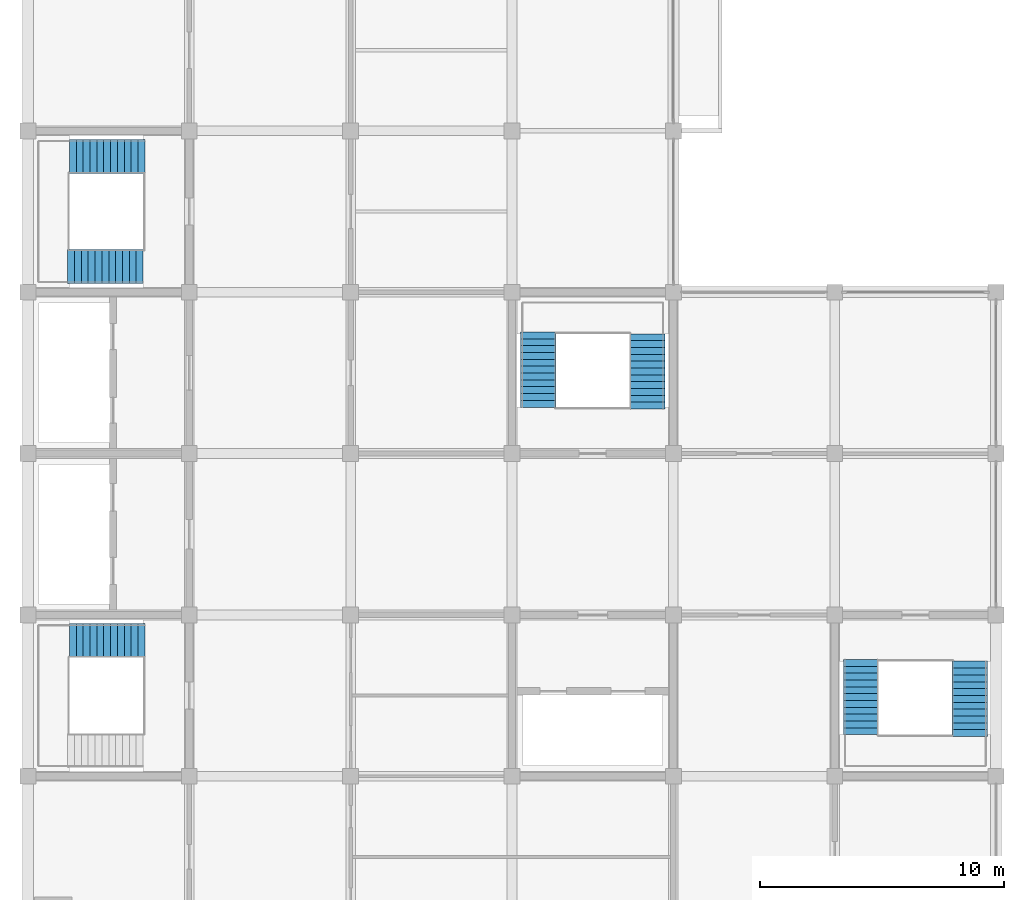
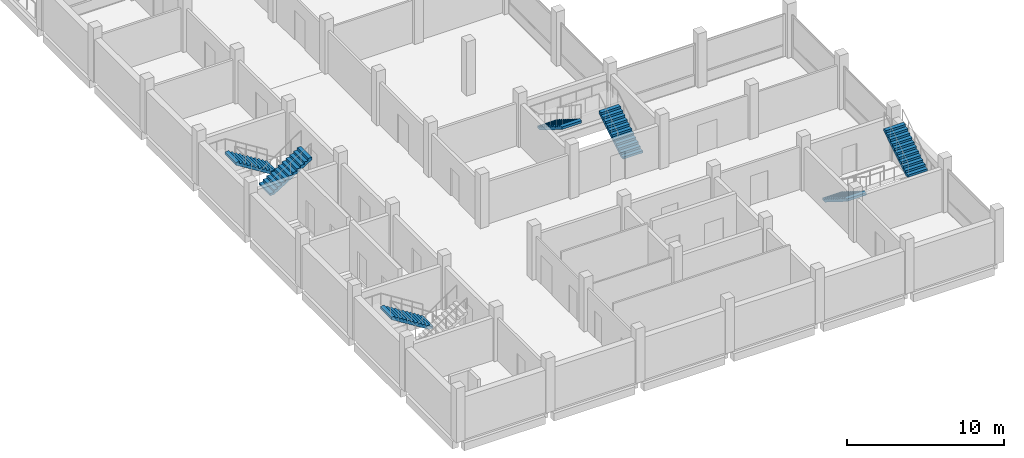
# One storey, part 9 of 11: 7 stair flights, 4 elements without a shape of their own.
"""IFC4 building model written with IfcOpenShell, lengths in metres."""

from ifc_helpers import new_model, si_unit, direction, frame, origin, place, context, subcontext, project, spatial, polyline, outline, extrude, material, type_object, element, aggregate, save


model = new_model("IFC4")

# Units and contexts
model_context = context("Model", 3, precision=1e-05, world=origin(), true_north=direction((0.0, 1.0)))
body_context = subcontext(model_context, "Body", "Model", "MODEL_VIEW")
ifc_project = project(units=[si_unit("LENGTHUNIT", "METRE"), si_unit("AREAUNIT", "SQUARE_METRE"), si_unit("VOLUMEUNIT", "CUBIC_METRE"), si_unit("PLANEANGLEUNIT", "RADIAN"), si_unit("MASSUNIT", "GRAM", prefix="KILO")], contexts=[model_context])

# Site, building, storey
site_placement = place(None, origin())
site = spatial("IfcSite", under=ifc_project, at=site_placement, CompositionType="ELEMENT")
building_placement = place(site_placement, origin())
building = spatial("IfcBuilding", under=site, at=building_placement, Name="Rusizi Kubbe Research Institute", CompositionType="ELEMENT")
storey_placement = place(building_placement, frame((0.0, 0.0, 56.39990234375)))
storey = spatial("IfcBuildingStorey", under=building, at=storey_placement, Name="L13", CompositionType="ELEMENT", Elevation=56.39990234375)

# Stair, stair flight
ifc_material_1 = material(Name="Concrete C40/50", Category="concrete")
stair_type_1 = type_object("IfcStairType", Name="ST-H420A", PredefinedType="HALF_TURN_STAIR", material=ifc_material_1)
stair_1_placement = place(storey_placement, origin())
stair_1 = element("IfcStair", 1, at=stair_1_placement, inside=storey, type_object=stair_type_1, Name="Protected Exit Stair ST1 (L13)", PredefinedType="HALF_TURN_STAIR")
ifc_material_2 = material(Name="Concrete C40/50", Category="concrete")
stair_flight_type_1 = type_object("IfcStairFlightType", Name="FL-H420A", PredefinedType="STRAIGHT", material=ifc_material_2)
stair_flight_1_placement = place(storey_placement, frame((4.780029296875, 12.14990234375, 0.0), z_axis=(0.0, 0.0, 1.0), x_axis=(-1.0, 0.0, 0.0)))
stair_flight_1 = element("IfcStairFlight", 2, at=stair_flight_1_placement, type_object=stair_flight_type_1, Name="ST1 flight 1", NumberOfRisers=12, NumberOfTreads=11, PredefinedType="STRAIGHT", RiserHeight=0.175, TreadLength=0.28, context=body_context, shape_type="SweptSolid", body=[
    extrude(outline(polyline([(0.0, 0.0), (0.0, 0.175048828125), (0.280029296875, 0.175048828125), (0.280029296875, 0.35009765625), (0.56005859375, 0.35009765625), (0.56005859375, 0.52490234375), (0.840087890625, 0.52490234375), (0.840087890625, 0.699951171875), (1.1201171875, 0.699951171875), (1.1201171875, 0.875), (1.39990234375, 0.875), (1.39990234375, 1.050048828125), (1.679931640625, 1.050048828125), (1.679931640625, 1.22509765625), (1.9599609375, 1.22509765625), (1.9599609375, 1.39990234375), (2.239990234375, 1.39990234375), (2.239990234375, 1.574951171875), (2.52001953125, 1.574951171875), (2.52001953125, 1.75), (2.800048828125, 1.75), (2.800048828125, 1.925048828125), (3.080078125, 1.925048828125), (3.080078125, 2.10009765625), (3.080078125, 1.736328125), (0.3017578125, 0.0), (0.0, 0.0)])), frame((0.0, 0.699951171875, 0.0), z_axis=(0.0, -1.0, 0.0), x_axis=(1.0, 0.0, 0.0)), (0.0, 0.0, 1.0), 1.39990234375),
])
aggregate(stair_1, [stair_flight_1])

# Stair, stair flights
stair_2_placement = place(storey_placement, origin())
stair_2 = element("IfcStair", 3, at=stair_2_placement, inside=storey, type_object=stair_type_1, Name="Protected Exit Stair ST2 (L13)", PredefinedType="HALF_TURN_STAIR")
stair_flight_2_placement = place(storey_placement, frame((4.780029296875, 31.949951171875, 0.0), z_axis=(0.0, 0.0, 1.0), x_axis=(-1.0, 0.0, 0.0)))
stair_flight_2 = element("IfcStairFlight", 4, at=stair_flight_2_placement, type_object=stair_flight_type_1, Name="ST2 flight 1", NumberOfRisers=12, NumberOfTreads=11, PredefinedType="STRAIGHT", RiserHeight=0.175, TreadLength=0.28, context=body_context, shape_type="SweptSolid", body=[
    extrude(outline(polyline([(0.0, 0.0), (0.0, 0.175048828125), (0.280029296875, 0.175048828125), (0.280029296875, 0.35009765625), (0.56005859375, 0.35009765625), (0.56005859375, 0.52490234375), (0.840087890625, 0.52490234375), (0.840087890625, 0.699951171875), (1.1201171875, 0.699951171875), (1.1201171875, 0.875), (1.39990234375, 0.875), (1.39990234375, 1.050048828125), (1.679931640625, 1.050048828125), (1.679931640625, 1.22509765625), (1.9599609375, 1.22509765625), (1.9599609375, 1.39990234375), (2.239990234375, 1.39990234375), (2.239990234375, 1.574951171875), (2.52001953125, 1.574951171875), (2.52001953125, 1.75), (2.800048828125, 1.75), (2.800048828125, 1.925048828125), (3.080078125, 1.925048828125), (3.080078125, 2.10009765625), (3.080078125, 1.736328125), (0.3017578125, 0.0), (0.0, 0.0)])), frame((0.0, 0.699951171875, 0.0), z_axis=(0.0, -1.0, 0.0), x_axis=(1.0, 0.0, 0.0)), (0.0, 0.0, 1.0), 1.39990234375),
])
stair_flight_3_placement = place(storey_placement, frame((1.6259765625, 27.449951171875, 2.10009765625), z_axis=(0.0, 0.0, 1.0), x_axis=(1.0, 0.0, 0.0)))
stair_flight_3 = element("IfcStairFlight", 5, at=stair_flight_3_placement, type_object=stair_flight_type_1, Name="ST2 flight 2", NumberOfRisers=12, NumberOfTreads=11, PredefinedType="STRAIGHT", RiserHeight=0.175, TreadLength=0.28, context=body_context, shape_type="SweptSolid", body=[
    extrude(outline(polyline([(0.0, 0.0), (0.0, 0.175048828125), (0.280029296875, 0.175048828125), (0.280029296875, 0.35009765625), (0.56005859375, 0.35009765625), (0.56005859375, 0.52490234375), (0.840087890625, 0.52490234375), (0.840087890625, 0.699951171875), (1.1201171875, 0.699951171875), (1.1201171875, 0.875), (1.39990234375, 0.875), (1.39990234375, 1.050048828125), (1.679931640625, 1.050048828125), (1.679931640625, 1.22509765625), (1.9599609375, 1.22509765625), (1.9599609375, 1.39990234375), (2.239990234375, 1.39990234375), (2.239990234375, 1.574951171875), (2.52001953125, 1.574951171875), (2.52001953125, 1.75), (2.800048828125, 1.75), (2.800048828125, 1.925048828125), (3.080078125, 1.925048828125), (3.080078125, 2.10009765625), (3.080078125, 1.736328125), (0.3017578125, 0.0), (0.0, 0.0)])), frame((0.0, 0.699951171875, 0.0), z_axis=(0.0, -1.0, 0.0), x_axis=(1.0, 0.0, 0.0)), (0.0, 0.0, 1.0), 1.39990234375),
])
aggregate(stair_2, [stair_flight_2, stair_flight_3])

ifc_material_3 = material(Name="Concrete C40/50", Category="concrete")
stair_type_2 = type_object("IfcStairType", Name="ST-H420B", PredefinedType="HALF_TURN_STAIR", material=ifc_material_3)
stair_3_placement = place(storey_placement, origin())
stair_3 = element("IfcStair", 6, at=stair_3_placement, inside=storey, type_object=stair_type_2, Name="Protected Exit Stair ST3 (L13)", PredefinedType="HALF_TURN_STAIR")
ifc_material_4 = material(Name="Concrete C40/50", Category="concrete")
stair_flight_type_2 = type_object("IfcStairFlightType", Name="FL-H420B", PredefinedType="STRAIGHT", material=ifc_material_4)
stair_flight_4_placement = place(storey_placement, frame((25.324951171875, 21.6201171875, 0.0), z_axis=(0.0, 0.0, 1.0), x_axis=(0.0, 1.0, 0.0)))
stair_flight_4 = element("IfcStairFlight", 7, at=stair_flight_4_placement, type_object=stair_flight_type_2, Name="ST3 flight 1", NumberOfRisers=12, NumberOfTreads=11, PredefinedType="STRAIGHT", RiserHeight=0.175, TreadLength=0.28, context=body_context, shape_type="SweptSolid", body=[
    extrude(outline(polyline([(0.0, 0.0), (0.0, 0.175048828125), (0.280029296875, 0.175048828125), (0.280029296875, 0.35009765625), (0.56005859375, 0.35009765625), (0.56005859375, 0.52490234375), (0.840087890625, 0.52490234375), (0.840087890625, 0.699951171875), (1.1201171875, 0.699951171875), (1.1201171875, 0.875), (1.39990234375, 0.875), (1.39990234375, 1.050048828125), (1.679931640625, 1.050048828125), (1.679931640625, 1.22509765625), (1.9599609375, 1.22509765625), (1.9599609375, 1.39990234375), (2.239990234375, 1.39990234375), (2.239990234375, 1.574951171875), (2.52001953125, 1.574951171875), (2.52001953125, 1.75), (2.800048828125, 1.75), (2.800048828125, 1.925048828125), (3.080078125, 1.925048828125), (3.080078125, 2.10009765625), (3.080078125, 1.736328125), (0.3017578125, 0.0), (0.0, 0.0)])), frame((0.0, 0.72509765625, 0.0), z_axis=(0.0, -1.0, 0.0), x_axis=(1.0, 0.0, 0.0)), (0.0, 0.0, 1.0), 1.449951171875),
])
stair_flight_5_placement = place(storey_placement, frame((20.875, 24.77392578125, 2.10009765625), z_axis=(0.0, 0.0, 1.0), x_axis=(0.0, -1.0, 0.0)))
stair_flight_5 = element("IfcStairFlight", 8, at=stair_flight_5_placement, type_object=stair_flight_type_2, Name="ST3 flight 2", NumberOfRisers=12, NumberOfTreads=11, PredefinedType="STRAIGHT", RiserHeight=0.175, TreadLength=0.28, context=body_context, shape_type="SweptSolid", body=[
    extrude(outline(polyline([(0.0, 0.0), (0.0, 0.175048828125), (0.280029296875, 0.175048828125), (0.280029296875, 0.35009765625), (0.56005859375, 0.35009765625), (0.56005859375, 0.52490234375), (0.840087890625, 0.52490234375), (0.840087890625, 0.699951171875), (1.1201171875, 0.699951171875), (1.1201171875, 0.875), (1.39990234375, 0.875), (1.39990234375, 1.050048828125), (1.679931640625, 1.050048828125), (1.679931640625, 1.22509765625), (1.9599609375, 1.22509765625), (1.9599609375, 1.39990234375), (2.239990234375, 1.39990234375), (2.239990234375, 1.574951171875), (2.52001953125, 1.574951171875), (2.52001953125, 1.75), (2.800048828125, 1.75), (2.800048828125, 1.925048828125), (3.080078125, 1.925048828125), (3.080078125, 2.10009765625), (3.080078125, 1.736328125), (0.3017578125, 0.0), (0.0, 0.0)])), frame((0.0, 0.72509765625, 0.0), z_axis=(0.0, -1.0, 0.0), x_axis=(1.0, 0.0, 0.0)), (0.0, 0.0, 1.0), 1.449951171875),
])
aggregate(stair_3, [stair_flight_4, stair_flight_5])

stair_4_placement = place(storey_placement, origin())
stair_4 = element("IfcStair", 9, at=stair_4_placement, inside=storey, type_object=stair_type_2, Name="Protected Exit Stair ST4 (L13)", PredefinedType="HALF_TURN_STAIR")
stair_flight_6_placement = place(storey_placement, frame((34.074951171875, 11.3798828125, 0.0), z_axis=(0.0, 0.0, 1.0), x_axis=(0.0, -1.0, 0.0)))
stair_flight_6 = element("IfcStairFlight", 10, at=stair_flight_6_placement, type_object=stair_flight_type_2, Name="ST4 flight 1", NumberOfRisers=12, NumberOfTreads=11, PredefinedType="STRAIGHT", RiserHeight=0.175, TreadLength=0.28, context=body_context, shape_type="SweptSolid", body=[
    extrude(outline(polyline([(0.0, 0.0), (0.0, 0.175048828125), (0.280029296875, 0.175048828125), (0.280029296875, 0.35009765625), (0.56005859375, 0.35009765625), (0.56005859375, 0.52490234375), (0.840087890625, 0.52490234375), (0.840087890625, 0.699951171875), (1.1201171875, 0.699951171875), (1.1201171875, 0.875), (1.39990234375, 0.875), (1.39990234375, 1.050048828125), (1.679931640625, 1.050048828125), (1.679931640625, 1.22509765625), (1.9599609375, 1.22509765625), (1.9599609375, 1.39990234375), (2.239990234375, 1.39990234375), (2.239990234375, 1.574951171875), (2.52001953125, 1.574951171875), (2.52001953125, 1.75), (2.800048828125, 1.75), (2.800048828125, 1.925048828125), (3.080078125, 1.925048828125), (3.080078125, 2.10009765625), (3.080078125, 1.736328125), (0.3017578125, 0.0), (0.0, 0.0)])), frame((0.0, 0.72509765625, 0.0), z_axis=(0.0, -1.0, 0.0), x_axis=(1.0, 0.0, 0.0)), (0.0, 0.0, 1.0), 1.449951171875),
])
stair_flight_7_placement = place(storey_placement, frame((38.52490234375, 8.22607421875, 2.10009765625), z_axis=(0.0, 0.0, 1.0), x_axis=(0.0, 1.0, 0.0)))
stair_flight_7 = element("IfcStairFlight", 11, at=stair_flight_7_placement, type_object=stair_flight_type_2, Name="ST4 flight 2", NumberOfRisers=12, NumberOfTreads=11, PredefinedType="STRAIGHT", RiserHeight=0.175, TreadLength=0.28, context=body_context, shape_type="SweptSolid", body=[
    extrude(outline(polyline([(0.0, 0.0), (0.0, 0.175048828125), (0.280029296875, 0.175048828125), (0.280029296875, 0.35009765625), (0.56005859375, 0.35009765625), (0.56005859375, 0.52490234375), (0.840087890625, 0.52490234375), (0.840087890625, 0.699951171875), (1.1201171875, 0.699951171875), (1.1201171875, 0.875), (1.39990234375, 0.875), (1.39990234375, 1.050048828125), (1.679931640625, 1.050048828125), (1.679931640625, 1.22509765625), (1.9599609375, 1.22509765625), (1.9599609375, 1.39990234375), (2.239990234375, 1.39990234375), (2.239990234375, 1.574951171875), (2.52001953125, 1.574951171875), (2.52001953125, 1.75), (2.800048828125, 1.75), (2.800048828125, 1.925048828125), (3.080078125, 1.925048828125), (3.080078125, 2.10009765625), (3.080078125, 1.736328125), (0.3017578125, 0.0), (0.0, 0.0)])), frame((0.0, 0.72509765625, 0.0), z_axis=(0.0, -1.0, 0.0), x_axis=(1.0, 0.0, 0.0)), (0.0, 0.0, 1.0), 1.449951171875),
])
aggregate(stair_4, [stair_flight_6, stair_flight_7])

save(model, "model.ifc")
